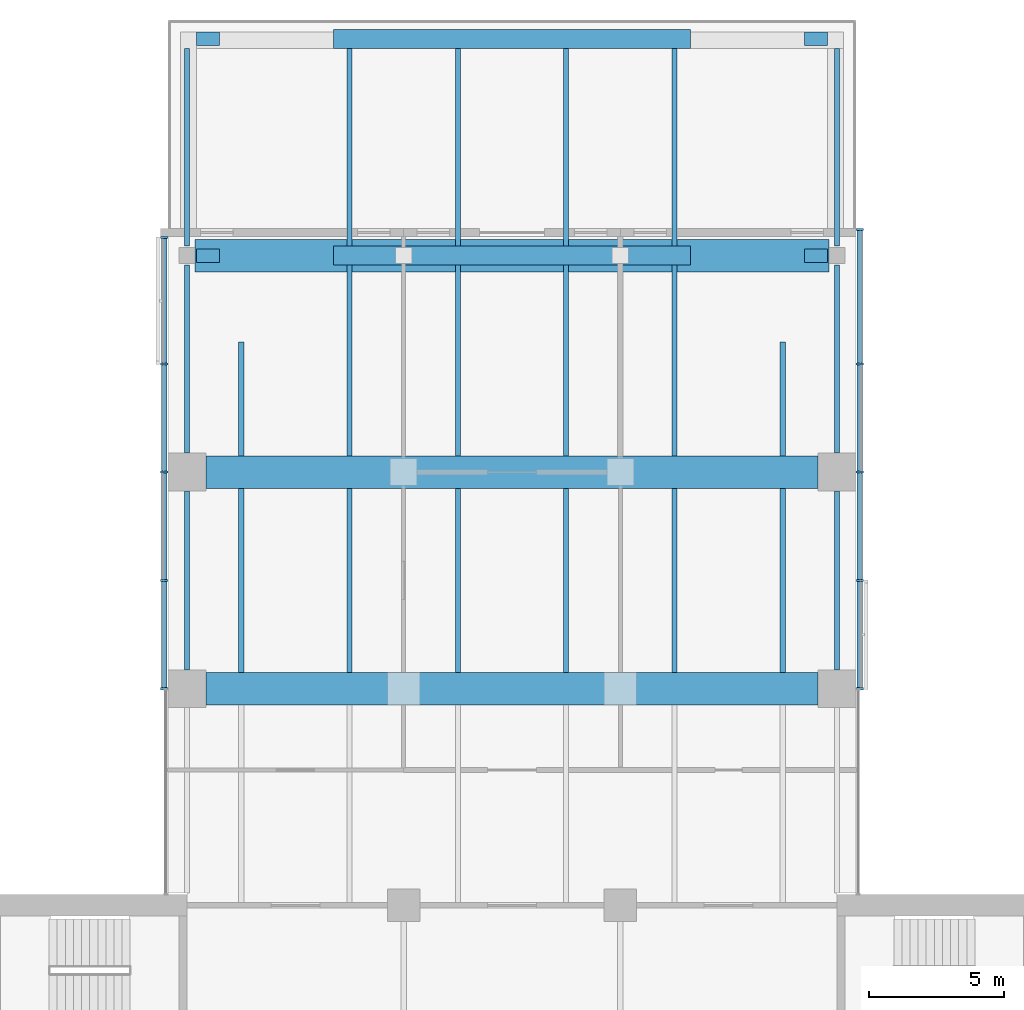
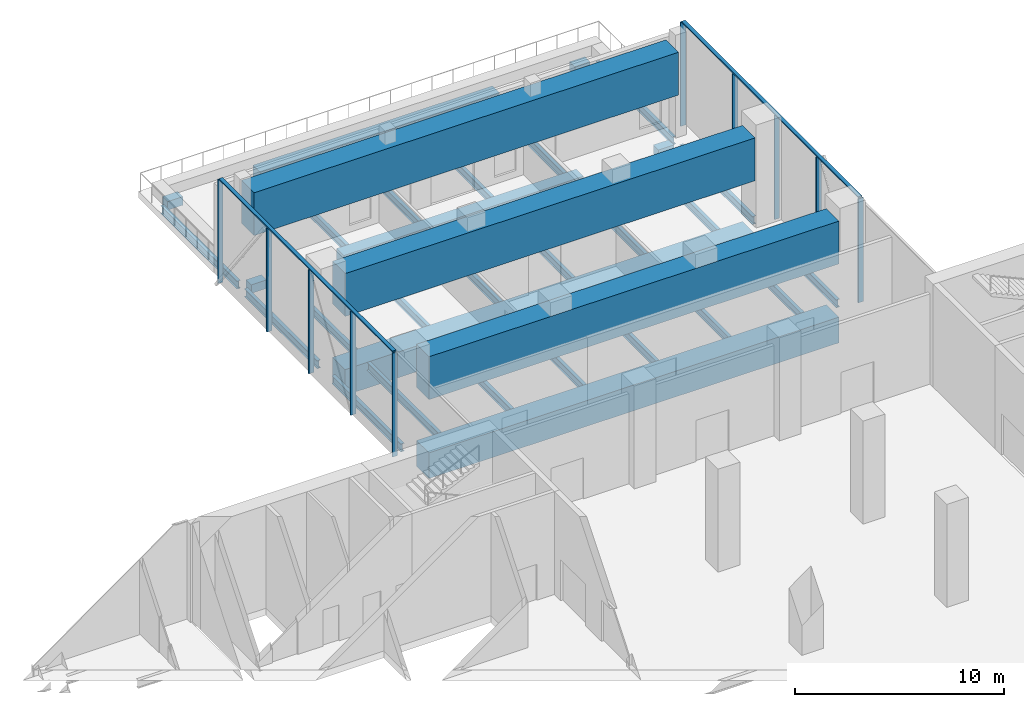
# One storey, part 11 of 23: 33 beams, 12 members, 2 elements without a shape of their own.
"""IFC4 building model written with IfcOpenShell, lengths in metres."""

import ifcopenshell
import ifcopenshell.guid

model = None  # the IFC model being written
_history = None  # IfcOwnerHistory: only IFC2X3 demands one
_inside = {}  # id of a spatial element -> (the spatial element, [elements in it])
_under = {}  # id of a project, library or spatial element -> (it, [spatial elements below it])
_declared = {}  # id of a project -> (the project, [libraries it declares])
_typed = {}  # id of a type object -> (the type object, [elements of that type])
_made_of = {}  # id of a material, layer set ... -> (it, [elements and type objects made of it])


def new_model(schema):
    """Start an empty IFC model of exactly this schema.

    Asked for "IFC4X3", IfcOpenShell would pick the latest addendum, in which some entities
    have other attributes; the version numbers below select the first issue.
    IFC2X3 requires an IfcOwnerHistory on every rooted entity: one is made here for all.
    """
    global model, _history
    if schema == "IFC4X3":
        model = ifcopenshell.file(schema_version=(4, 3, 0, 0))
    else:
        model = ifcopenshell.file(schema=schema)
    _inside.clear()
    _under.clear()
    _declared.clear()
    _typed.clear()
    _made_of.clear()
    _history = None
    if model.schema == "IFC2X3":
        org = make("IfcOrganization", Name="unknown")
        user = make(
            "IfcPersonAndOrganization",
            ThePerson=make("IfcPerson", FamilyName="unknown"),
            TheOrganization=org,
        )
        app = make(
            "IfcApplication",
            ApplicationDeveloper=org,
            Version="unknown",
            ApplicationFullName="unknown",
            ApplicationIdentifier="unknown",
        )
        _history = make(
            "IfcOwnerHistory",
            OwningUser=user,
            OwningApplication=app,
            ChangeAction="ADDED",
            CreationDate=0,
        )
    return model


def make(cls, **values):
    """One entity of the class cls with the attributes given. An attribute that is None is left unset."""
    return model.create_entity(
        cls, **{name: value for name, value in values.items() if value is not None}
    )


def rooted(cls, **values):
    """An entity with a GlobalId (a new one), such as an element, a storey or a relation."""
    return make(cls, GlobalId=ifcopenshell.guid.new(), OwnerHistory=_history, **values)


def si_unit(unit_type, name, prefix=None):
    """IfcSIUnit, for example si_unit("LENGTHUNIT", "METRE", prefix="MILLI")."""
    return make("IfcSIUnit", UnitType=unit_type, Prefix=prefix, Name=name)


def assignment(units):
    """IfcUnitAssignment: the units of a project."""
    return None if units is None else make("IfcUnitAssignment", Units=units)


def point(xyz):
    """IfcCartesianPoint."""
    return None if xyz is None else make("IfcCartesianPoint", Coordinates=xyz)


def direction(xyz):
    """IfcDirection."""
    return None if xyz is None else make("IfcDirection", DirectionRatios=xyz)


def frame(location, z_axis=None, x_axis=None):
    """IfcAxis2Placement3D, a coordinate frame: its origin and axes. An axis left out is left unset."""
    return make(
        "IfcAxis2Placement3D",
        Location=point(location),
        Axis=direction(z_axis),
        RefDirection=direction(x_axis),
    )


def frame_2d(location, x_axis=None):
    """IfcAxis2Placement2D, a coordinate frame in the plane: its origin and x axis."""
    return make(
        "IfcAxis2Placement2D", Location=point(location), RefDirection=direction(x_axis)
    )


def origin():
    """The frame at (0, 0, 0) with its axes left unset."""
    return frame((0.0, 0.0, 0.0))


def origin_2d():
    """The frame at (0, 0) in the plane with its x axis left unset."""
    return frame_2d((0.0, 0.0))


def place(relative_to, where):
    """IfcLocalPlacement: puts the frame where relative to a parent placement (None: the world)."""
    return make(
        "IfcLocalPlacement", PlacementRelTo=relative_to, RelativePlacement=where
    )


def context(
    kind, dimensions, precision=None, world=None, true_north=None, identifier=None
):
    """IfcGeometricRepresentationContext, for example the 3D "Model" context."""
    return make(
        "IfcGeometricRepresentationContext",
        ContextIdentifier=identifier,
        ContextType=kind,
        CoordinateSpaceDimension=dimensions,
        Precision=precision,
        WorldCoordinateSystem=world,
        TrueNorth=true_north,
    )


def subcontext(parent, identifier, kind, view, scale=None):
    """IfcGeometricRepresentationSubContext, for example "Body" below "Model"."""
    return make(
        "IfcGeometricRepresentationSubContext",
        ContextIdentifier=identifier,
        ContextType=kind,
        ParentContext=parent,
        TargetScale=scale,
        TargetView=view,
    )


def project(units=None, contexts=None):
    """IfcProject with its units and contexts."""
    return rooted(
        "IfcProject",
        Name="project",
        RepresentationContexts=contexts,
        UnitsInContext=assignment(units),
    )


def spatial(cls, under=None, at=None, **own):
    """A site, building, storey or space (cls), placed at a placement, below another one or the project."""
    s = rooted(cls, ObjectPlacement=at, **own)
    if under is not None:
        _under.setdefault(under.id(), (under, []))[1].append(s)
    return s


def profile(cls, at=None, kind="AREA", **sizes):
    """A parametric profile (cls). Its sizes go by their IFC names, for example OverallWidth=200.0."""
    return make(cls, ProfileType=kind, Position=at, **sizes)


def rectangle(**sizes):
    """IfcRectangleProfileDef."""
    return profile("IfcRectangleProfileDef", **sizes)


def i_section(**sizes):
    """IfcIShapeProfileDef."""
    return profile("IfcIShapeProfileDef", **sizes)


def extrude(swept, where, along, depth):
    """IfcExtrudedAreaSolid: the profile swept, set in the frame where, extruded along a direction by depth."""
    return make(
        "IfcExtrudedAreaSolid",
        SweptArea=swept,
        Position=where,
        ExtrudedDirection=direction(along),
        Depth=depth,
    )


def shape(context_of_items, identifier, shape_type, items):
    """IfcShapeRepresentation: the items that make up one representation, for example the "Body"."""
    return make(
        "IfcShapeRepresentation",
        ContextOfItems=context_of_items,
        RepresentationIdentifier=identifier,
        RepresentationType=shape_type,
        Items=items,
    )


def material(Name=None, Category=None):
    """IfcMaterial."""
    return make("IfcMaterial", Name=Name, Category=Category)


def material_profile(
    of_material, cross_section, Name=None, Category=None, Priority=None
):
    """IfcMaterialProfile: a cross section and its material."""
    return make(
        "IfcMaterialProfile",
        Name=Name,
        Material=of_material,
        Profile=cross_section,
        Priority=Priority,
        Category=Category,
    )


def profile_set(profiles, Name=None, composite=None):
    """IfcMaterialProfileSet."""
    return make(
        "IfcMaterialProfileSet",
        Name=Name,
        MaterialProfiles=profiles,
        CompositeProfile=composite,
    )


def made_of(thing, what):
    """Note that an element or type object is made of a material, layer set ...; save() writes the relation."""
    if what is not None:
        _made_of.setdefault(what.id(), (what, []))[1].append(thing)
    return thing


def type_object(cls, material=None, **own):
    """A type object (cls), such as IfcWallType, which elements share."""
    return made_of(rooted(cls, **own), material)


def element(
    cls,
    number,
    at=None,
    inside=None,
    cuts=None,
    type_object=None,
    material=None,
    context=None,
    identifier="Body",
    shape_type=None,
    held_by="IfcProductDefinitionShape",
    body=None,
    shapes=None,
    **own,
):
    """One element of the class cls, such as IfcWall. Its Tag is "e" and its number.

    at: its placement. inside: the storey or other place that contains it. cuts: it is an
    opening in that element (IfcRelVoidsElement). A single representation is given by context,
    identifier, shape_type and body (its items); several are given by shapes. held_by: the class
    of the entity that holds the representations. save() writes the other relations.
    """
    e = rooted(cls, Tag="e%d" % number, ObjectPlacement=at, **own)
    if body is not None:
        shapes = [shape(context, identifier, shape_type, body)]
    if shapes is not None:
        e.Representation = make(held_by, Representations=shapes)
    if inside is not None:
        _inside.setdefault(inside.id(), (inside, []))[1].append(e)
    if cuts is not None:
        rooted(
            "IfcRelVoidsElement", RelatingBuildingElement=cuts, RelatedOpeningElement=e
        )
    if type_object is not None:
        _typed.setdefault(type_object.id(), (type_object, []))[1].append(e)
    return made_of(e, material)


def aggregate(whole, parts):
    """IfcRelAggregates: a whole, such as a stair, and the parts it consists of."""
    return rooted("IfcRelAggregates", RelatingObject=whole, RelatedObjects=parts)


def save(model, path):
    """Write the relations noted so far, then the file.

    IfcRelAggregates (storeys below a building ...), IfcRelContainedInSpatialStructure (elements
    in a storey), IfcRelDefinesByType, IfcRelAssociatesMaterial and IfcRelDeclares: one each for
    every whole, place, type object, material and project.
    """
    for whole, parts in _under.values():
        aggregate(whole, parts)
    for where, things in _inside.values():
        rooted(
            "IfcRelContainedInSpatialStructure",
            RelatedElements=things,
            RelatingStructure=where,
        )
    for kind, things in _typed.values():
        rooted("IfcRelDefinesByType", RelatedObjects=things, RelatingType=kind)
    for what, things in _made_of.values():
        rooted("IfcRelAssociatesMaterial", RelatedObjects=things, RelatingMaterial=what)
    for by, libraries in _declared.values():
        rooted("IfcRelDeclares", RelatingContext=by, RelatedDefinitions=libraries)
    model.write(path)


model = new_model("IFC4")

# Units and contexts
model_context = context("Model", 3, precision=1e-05, world=origin(), true_north=direction((0.0, 1.0)))
body_context = subcontext(model_context, "Body", "Model", "MODEL_VIEW")
ifc_project = project(units=[si_unit("LENGTHUNIT", "METRE"), si_unit("AREAUNIT", "SQUARE_METRE"), si_unit("VOLUMEUNIT", "CUBIC_METRE"), si_unit("PLANEANGLEUNIT", "RADIAN"), si_unit("MASSUNIT", "GRAM", prefix="KILO")], contexts=[model_context])

# Site, building, storey
site_placement = place(None, origin())
site = spatial("IfcSite", under=ifc_project, at=site_placement, CompositionType="ELEMENT")
building_placement = place(site_placement, origin())
building = spatial("IfcBuilding", under=site, at=building_placement, Name="Crosswind Convention Tower", CompositionType="ELEMENT")
storey_placement = place(building_placement, frame((0.0, 0.0, 47.5)))
storey = spatial("IfcBuildingStorey", under=building, at=storey_placement, Name="L06", CompositionType="ELEMENT", Elevation=47.5)

# Beams
ifc_material_1 = material(Name="Steel S355", Category="steel")
ifc_material_profile_1 = material_profile(ifc_material_1, i_section(OverallWidth=0.19189453125, OverallDepth=0.463623046875, WebThickness=0.010498046875, FlangeThickness=0.017578125, FilletRadius=0.01025390625, at=origin_2d()), Name="UB 457x191x90")
ifc_profile_set_1 = profile_set([ifc_material_profile_1], Name="Steel S355")
beam_type_1 = type_object("IfcBeamType", Name="Edge beam UB 457x191x90", PredefinedType="SPANDREL", material=ifc_profile_set_1)
beam_1_placement = place(storey_placement, frame((113.0, 120.699951171875, -0.6318359375), z_axis=(0.0, 1.0, 0.0), x_axis=(-1.0, 0.0, 0.0)))
element("IfcBeam", 1, at=beam_1_placement, inside=storey, type_object=beam_type_1, Name="B19 L06 edge beam 10", PredefinedType="SPANDREL", context=body_context, shape_type="SweptSolid", body=[
    extrude(i_section(OverallWidth=0.19189453125, OverallDepth=0.463623046875, WebThickness=0.010498046875, FlangeThickness=0.017578125, FilletRadius=0.01025390625, at=origin_2d()), origin(), (0.0, 0.0, 1.0), 6.60009765625),
])
beam_2_placement = place(storey_placement, frame((113.0, 128.699951171875, -0.6318359375), z_axis=(0.0, 1.0, 0.0), x_axis=(-1.0, 0.0, 0.0)))
element("IfcBeam", 2, at=beam_2_placement, inside=storey, type_object=beam_type_1, Name="B19 L06 edge beam 11", PredefinedType="SPANDREL", context=body_context, shape_type="SweptSolid", body=[
    extrude(i_section(OverallWidth=0.19189453125, OverallDepth=0.463623046875, WebThickness=0.010498046875, FlangeThickness=0.017578125, FilletRadius=0.01025390625, at=origin_2d()), origin(), (0.0, 0.0, 1.0), 6.949951171875),
])
beam_3_placement = place(storey_placement, frame((113.0, 136.35009765625, -0.6318359375), z_axis=(0.0, 1.0, 0.0), x_axis=(-1.0, 0.0, 0.0)))
element("IfcBeam", 3, at=beam_3_placement, inside=storey, type_object=beam_type_1, Name="B19 L06 edge beam 12", PredefinedType="SPANDREL", context=body_context, shape_type="SweptSolid", body=[
    extrude(i_section(OverallWidth=0.19189453125, OverallDepth=0.463623046875, WebThickness=0.010498046875, FlangeThickness=0.017578125, FilletRadius=0.01025390625, at=origin_2d()), origin(), (0.0, 0.0, 1.0), 7.2998046875),
])
beam_4_placement = place(storey_placement, frame((137.0, 120.699951171875, -0.6318359375), z_axis=(0.0, 1.0, 0.0), x_axis=(-1.0, 0.0, 0.0)))
element("IfcBeam", 4, at=beam_4_placement, inside=storey, type_object=beam_type_1, Name="B19 L06 edge beam 18", PredefinedType="SPANDREL", context=body_context, shape_type="SweptSolid", body=[
    extrude(i_section(OverallWidth=0.19189453125, OverallDepth=0.463623046875, WebThickness=0.010498046875, FlangeThickness=0.017578125, FilletRadius=0.01025390625, at=origin_2d()), origin(), (0.0, 0.0, 1.0), 6.60009765625),
])
beam_5_placement = place(storey_placement, frame((137.0, 128.699951171875, -0.6318359375), z_axis=(0.0, 1.0, 0.0), x_axis=(-1.0, 0.0, 0.0)))
element("IfcBeam", 5, at=beam_5_placement, inside=storey, type_object=beam_type_1, Name="B19 L06 edge beam 19", PredefinedType="SPANDREL", context=body_context, shape_type="SweptSolid", body=[
    extrude(i_section(OverallWidth=0.19189453125, OverallDepth=0.463623046875, WebThickness=0.010498046875, FlangeThickness=0.017578125, FilletRadius=0.01025390625, at=origin_2d()), origin(), (0.0, 0.0, 1.0), 6.949951171875),
])
beam_6_placement = place(storey_placement, frame((137.0, 136.35009765625, -0.6318359375), z_axis=(0.0, 1.0, 0.0), x_axis=(-1.0, 0.0, 0.0)))
element("IfcBeam", 6, at=beam_6_placement, inside=storey, type_object=beam_type_1, Name="B19 L06 edge beam 20", PredefinedType="SPANDREL", context=body_context, shape_type="SweptSolid", body=[
    extrude(i_section(OverallWidth=0.19189453125, OverallDepth=0.463623046875, WebThickness=0.010498046875, FlangeThickness=0.017578125, FilletRadius=0.01025390625, at=origin_2d()), origin(), (0.0, 0.0, 1.0), 7.2998046875),
])

# Curtain wall, members
ifc_material_2 = material(Name="Aluminium unitised curtain wall", Category="aluminium")
curtain_wall_type = type_object("IfcCurtainWallType", Name="SKY LOBBY AND LOUNGE WALL 280", PredefinedType="USERDEFINED", material=ifc_material_2)
curtain_wall_1_placement = place(storey_placement, origin())
curtain_wall_1 = element("IfcCurtainWall", 7, at=curtain_wall_1_placement, inside=storey, type_object=curtain_wall_type, Name="CW4 L06 N-E 1", ObjectType="UNITISED", PredefinedType="USERDEFINED")
ifc_material_3 = material(Name="Aluminium mullion", Category="aluminium")
ifc_material_profile_2 = material_profile(ifc_material_3, rectangle(XDim=0.280029296875, YDim=0.074951171875, at=origin_2d()), Name="AL 280X75")
ifc_profile_set_2 = profile_set([ifc_material_profile_2], Name="Aluminium mullion")
member_type_1 = type_object("IfcMemberType", Name="MULLION 75X280", PredefinedType="MULLION", material=ifc_profile_set_2)
member_1_placement = place(storey_placement, frame((137.840087890625, 120.0, -0.39990234375), z_axis=(0.0, 0.0, 1.0), x_axis=(1.0, 0.0, 0.0)))
member_1 = element("IfcMember", 8, at=member_1_placement, type_object=member_type_1, Name="CW4 mullion 1", PredefinedType="MULLION", context=body_context, shape_type="SweptSolid", body=[
    extrude(rectangle(XDim=0.280029296875, YDim=0.074951171875, at=origin_2d()), origin(), (0.0, 0.0, 1.0), 6.044921875),
])
member_2_placement = place(storey_placement, frame((137.840087890625, 124.0, -0.39990234375), z_axis=(0.0, 0.0, 1.0), x_axis=(1.0, 0.0, 0.0)))
member_2 = element("IfcMember", 9, at=member_2_placement, type_object=member_type_1, Name="CW4 mullion 2", PredefinedType="MULLION", context=body_context, shape_type="SweptSolid", body=[
    extrude(rectangle(XDim=0.280029296875, YDim=0.074951171875, at=origin_2d()), origin(), (0.0, 0.0, 1.0), 6.044921875),
])
member_3_placement = place(storey_placement, frame((137.840087890625, 128.0, -0.39990234375), z_axis=(0.0, 0.0, 1.0), x_axis=(1.0, 0.0, 0.0)))
member_3 = element("IfcMember", 10, at=member_3_placement, type_object=member_type_1, Name="CW4 mullion 3", PredefinedType="MULLION", context=body_context, shape_type="SweptSolid", body=[
    extrude(rectangle(XDim=0.280029296875, YDim=0.074951171875, at=origin_2d()), origin(), (0.0, 0.0, 1.0), 6.044921875),
])
member_4_placement = place(storey_placement, frame((137.840087890625, 132.0, -0.39990234375), z_axis=(0.0, 0.0, 1.0), x_axis=(1.0, 0.0, 0.0)))
member_4 = element("IfcMember", 11, at=member_4_placement, type_object=member_type_1, Name="CW4 mullion 4", PredefinedType="MULLION", context=body_context, shape_type="SweptSolid", body=[
    extrude(rectangle(XDim=0.280029296875, YDim=0.074951171875, at=origin_2d()), origin(), (0.0, 0.0, 1.0), 6.044921875),
])
member_5_placement = place(storey_placement, frame((137.840087890625, 136.96240234375, -0.39990234375), z_axis=(0.0, 0.0, 1.0), x_axis=(1.0, 0.0, 0.0)))
member_5 = element("IfcMember", 12, at=member_5_placement, type_object=member_type_1, Name="CW4 mullion 5", PredefinedType="MULLION", context=body_context, shape_type="SweptSolid", body=[
    extrude(rectangle(XDim=0.280029296875, YDim=0.074951171875, at=origin_2d()), origin(), (0.0, 0.0, 1.0), 6.044921875),
])

curtain_wall_2_placement = place(storey_placement, origin())
curtain_wall_2 = element("IfcCurtainWall", 13, at=curtain_wall_2_placement, inside=storey, type_object=curtain_wall_type, Name="CW4 L06 N-W 1", ObjectType="UNITISED", PredefinedType="USERDEFINED")
member_6_placement = place(storey_placement, frame((112.159912109375, 136.66259765625, -0.39990234375), z_axis=(0.0, 0.0, 1.0), x_axis=(-1.0, 0.0, 0.0)))
member_6 = element("IfcMember", 14, at=member_6_placement, type_object=member_type_1, Name="CW4 mullion 1", PredefinedType="MULLION", context=body_context, shape_type="SweptSolid", body=[
    extrude(rectangle(XDim=0.280029296875, YDim=0.074951171875, at=origin_2d()), origin(), (0.0, 0.0, 1.0), 6.044921875),
])
member_7_placement = place(storey_placement, frame((112.159912109375, 132.0, -0.39990234375), z_axis=(0.0, 0.0, 1.0), x_axis=(-1.0, 0.0, 0.0)))
member_7 = element("IfcMember", 15, at=member_7_placement, type_object=member_type_1, Name="CW4 mullion 2", PredefinedType="MULLION", context=body_context, shape_type="SweptSolid", body=[
    extrude(rectangle(XDim=0.280029296875, YDim=0.074951171875, at=origin_2d()), origin(), (0.0, 0.0, 1.0), 6.044921875),
])
member_8_placement = place(storey_placement, frame((112.159912109375, 128.0, -0.39990234375), z_axis=(0.0, 0.0, 1.0), x_axis=(-1.0, 0.0, 0.0)))
member_8 = element("IfcMember", 16, at=member_8_placement, type_object=member_type_1, Name="CW4 mullion 3", PredefinedType="MULLION", context=body_context, shape_type="SweptSolid", body=[
    extrude(rectangle(XDim=0.280029296875, YDim=0.074951171875, at=origin_2d()), origin(), (0.0, 0.0, 1.0), 6.044921875),
])
member_9_placement = place(storey_placement, frame((112.159912109375, 124.0, -0.39990234375), z_axis=(0.0, 0.0, 1.0), x_axis=(-1.0, 0.0, 0.0)))
member_9 = element("IfcMember", 17, at=member_9_placement, type_object=member_type_1, Name="CW4 mullion 4", PredefinedType="MULLION", context=body_context, shape_type="SweptSolid", body=[
    extrude(rectangle(XDim=0.280029296875, YDim=0.074951171875, at=origin_2d()), origin(), (0.0, 0.0, 1.0), 6.044921875),
])
member_10_placement = place(storey_placement, frame((112.159912109375, 120.0, -0.39990234375), z_axis=(0.0, 0.0, 1.0), x_axis=(-1.0, 0.0, 0.0)))
member_10 = element("IfcMember", 18, at=member_10_placement, type_object=member_type_1, Name="CW4 mullion 5", PredefinedType="MULLION", context=body_context, shape_type="SweptSolid", body=[
    extrude(rectangle(XDim=0.280029296875, YDim=0.074951171875, at=origin_2d()), origin(), (0.0, 0.0, 1.0), 6.044921875),
])

# Beams
ifc_material_4 = material(Name="Concrete C70/85", Category="concrete")
ifc_material_profile_3 = material_profile(ifc_material_4, rectangle(XDim=1.199951171875, YDim=1.5, at=origin_2d()), Name="RC 1200X1500")
ifc_profile_set_3 = profile_set([ifc_material_profile_3], Name="Concrete C70/85")
beam_type_2 = type_object("IfcBeamType", Name="Prestressed concrete girder RC 1200X1500", PredefinedType="BEAM", material=ifc_profile_set_3)
for number, where, z_axis, x_axis, name in (
    (19, (113.699951171875, 120.0, -1.14990234375), (1.0, 0.0, 0.0), (0.0, 1.0, 0.0), "B39 L06 prestressed concrete girder 3"),
    (20, (113.699951171875, 128.0, -1.14990234375), (1.0, 0.0, 0.0), (0.0, 1.0, 0.0), "B39 L06 prestressed concrete girder 4"),
):
    element("IfcBeam", number, at=place(storey_placement, frame(where, z_axis=z_axis, x_axis=x_axis)), inside=storey, type_object=beam_type_2, Name=name, PredefinedType="BEAM", context=body_context, shape_type="SweptSolid", body=[
        extrude(rectangle(XDim=1.199951171875, YDim=1.5, at=origin_2d()), origin(), (0.0, 0.0, 1.0), 22.60009765625),
    ])
ifc_material_5 = material(Name="Concrete C60/75", Category="concrete")
ifc_material_profile_4 = material_profile(ifc_material_5, rectangle(XDim=0.699951171875, YDim=0.89990234375, at=origin_2d()), Name="RC 700X900")
ifc_profile_set_4 = profile_set([ifc_material_profile_4], Name="Concrete C60/75")
beam_type_3 = type_object("IfcBeamType", Name="Prestressed concrete girder between stair walls RC 700X900", PredefinedType="BEAM", material=ifc_profile_set_4)
for number, where, z_axis, x_axis, name in (
    (21, (118.39990234375, 136.0, -0.85009765625), (1.0, 0.0, 0.0), (0.0, 1.0, 0.0), "B41 L06 prestressed concrete girder between stair walls 5"),
    (22, (118.39990234375, 144.0, -0.85009765625), (1.0, 0.0, 0.0), (0.0, 1.0, 0.0), "B41 L06 prestressed concrete girder between stair walls 6"),
):
    element("IfcBeam", number, at=place(storey_placement, frame(where, z_axis=z_axis, x_axis=x_axis)), inside=storey, type_object=beam_type_3, Name=name, PredefinedType="BEAM", context=body_context, shape_type="SweptSolid", body=[
        extrude(rectangle(XDim=0.699951171875, YDim=0.89990234375, at=origin_2d()), origin(), (0.0, 0.0, 1.0), 13.2001953125),
    ])
ifc_material_profile_5 = material_profile(ifc_material_1, i_section(OverallWidth=0.1904296875, OverallDepth=0.457275390625, WebThickness=0.009033203125, FlangeThickness=0.014404296875, FilletRadius=0.01025390625, at=origin_2d()), Name="UB 457x191x75")
ifc_profile_set_5 = profile_set([ifc_material_profile_5], Name="Steel S355")
beam_type_4 = type_object("IfcBeamType", Name="Secondary beam UB 457x191x75", PredefinedType="JOIST", material=ifc_profile_set_5)
beam_7_placement = place(storey_placement, frame((115.0, 120.60009765625, -0.628662109375), z_axis=(0.0, 1.0, 0.0), x_axis=(-1.0, 0.0, 0.0)))
element("IfcBeam", 23, at=beam_7_placement, inside=storey, type_object=beam_type_4, Name="B12 L06 secondary beam 18", PredefinedType="JOIST", context=body_context, shape_type="SweptSolid", body=[
    extrude(i_section(OverallWidth=0.1904296875, OverallDepth=0.457275390625, WebThickness=0.009033203125, FlangeThickness=0.014404296875, FilletRadius=0.01025390625, at=origin_2d()), origin(), (0.0, 0.0, 1.0), 6.7998046875),
])
beam_8_placement = place(storey_placement, frame((115.0, 128.60009765625, -0.628662109375), z_axis=(0.0, 1.0, 0.0), x_axis=(-1.0, 0.0, 0.0)))
element("IfcBeam", 24, at=beam_8_placement, inside=storey, type_object=beam_type_4, Name="B12 L06 secondary beam 19", PredefinedType="JOIST", context=body_context, shape_type="SweptSolid", body=[
    extrude(i_section(OverallWidth=0.1904296875, OverallDepth=0.457275390625, WebThickness=0.009033203125, FlangeThickness=0.014404296875, FilletRadius=0.01025390625, at=origin_2d()), origin(), (0.0, 0.0, 1.0), 4.199951171875),
])
beam_9_placement = place(storey_placement, frame((119.0, 120.60009765625, -0.628662109375), z_axis=(0.0, 1.0, 0.0), x_axis=(-1.0, 0.0, 0.0)))
element("IfcBeam", 25, at=beam_9_placement, inside=storey, type_object=beam_type_4, Name="B12 L06 secondary beam 25", PredefinedType="JOIST", context=body_context, shape_type="SweptSolid", body=[
    extrude(i_section(OverallWidth=0.1904296875, OverallDepth=0.457275390625, WebThickness=0.009033203125, FlangeThickness=0.014404296875, FilletRadius=0.01025390625, at=origin_2d()), origin(), (0.0, 0.0, 1.0), 6.7998046875),
])
beam_10_placement = place(storey_placement, frame((119.0, 128.60009765625, -0.628662109375), z_axis=(0.0, 1.0, 0.0), x_axis=(-1.0, 0.0, 0.0)))
element("IfcBeam", 26, at=beam_10_placement, inside=storey, type_object=beam_type_4, Name="B12 L06 secondary beam 26", PredefinedType="JOIST", context=body_context, shape_type="SweptSolid", body=[
    extrude(i_section(OverallWidth=0.1904296875, OverallDepth=0.457275390625, WebThickness=0.009033203125, FlangeThickness=0.014404296875, FilletRadius=0.01025390625, at=origin_2d()), origin(), (0.0, 0.0, 1.0), 7.0498046875),
])
beam_11_placement = place(storey_placement, frame((119.0, 136.35009765625, -0.628662109375), z_axis=(0.0, 1.0, 0.0), x_axis=(-1.0, 0.0, 0.0)))
element("IfcBeam", 27, at=beam_11_placement, inside=storey, type_object=beam_type_4, Name="B12 L06 secondary beam 27", PredefinedType="JOIST", context=body_context, shape_type="SweptSolid", body=[
    extrude(i_section(OverallWidth=0.1904296875, OverallDepth=0.457275390625, WebThickness=0.009033203125, FlangeThickness=0.014404296875, FilletRadius=0.01025390625, at=origin_2d()), origin(), (0.0, 0.0, 1.0), 7.2998046875),
])
beam_12_placement = place(storey_placement, frame((123.0, 120.60009765625, -0.628662109375), z_axis=(0.0, 1.0, 0.0), x_axis=(-1.0, 0.0, 0.0)))
element("IfcBeam", 28, at=beam_12_placement, inside=storey, type_object=beam_type_4, Name="B12 L06 secondary beam 36", PredefinedType="JOIST", context=body_context, shape_type="SweptSolid", body=[
    extrude(i_section(OverallWidth=0.1904296875, OverallDepth=0.457275390625, WebThickness=0.009033203125, FlangeThickness=0.014404296875, FilletRadius=0.01025390625, at=origin_2d()), origin(), (0.0, 0.0, 1.0), 6.7998046875),
])
beam_13_placement = place(storey_placement, frame((123.0, 128.60009765625, -0.628662109375), z_axis=(0.0, 1.0, 0.0), x_axis=(-1.0, 0.0, 0.0)))
element("IfcBeam", 29, at=beam_13_placement, inside=storey, type_object=beam_type_4, Name="B12 L06 secondary beam 37", PredefinedType="JOIST", context=body_context, shape_type="SweptSolid", body=[
    extrude(i_section(OverallWidth=0.1904296875, OverallDepth=0.457275390625, WebThickness=0.009033203125, FlangeThickness=0.014404296875, FilletRadius=0.01025390625, at=origin_2d()), origin(), (0.0, 0.0, 1.0), 7.0498046875),
])
beam_14_placement = place(storey_placement, frame((123.0, 136.35009765625, -0.628662109375), z_axis=(0.0, 1.0, 0.0), x_axis=(-1.0, 0.0, 0.0)))
element("IfcBeam", 30, at=beam_14_placement, inside=storey, type_object=beam_type_4, Name="B12 L06 secondary beam 38", PredefinedType="JOIST", context=body_context, shape_type="SweptSolid", body=[
    extrude(i_section(OverallWidth=0.1904296875, OverallDepth=0.457275390625, WebThickness=0.009033203125, FlangeThickness=0.014404296875, FilletRadius=0.01025390625, at=origin_2d()), origin(), (0.0, 0.0, 1.0), 7.2998046875),
])
beam_15_placement = place(storey_placement, frame((127.0, 120.60009765625, -0.628662109375), z_axis=(0.0, 1.0, 0.0), x_axis=(-1.0, 0.0, 0.0)))
element("IfcBeam", 31, at=beam_15_placement, inside=storey, type_object=beam_type_4, Name="B12 L06 secondary beam 44", PredefinedType="JOIST", context=body_context, shape_type="SweptSolid", body=[
    extrude(i_section(OverallWidth=0.1904296875, OverallDepth=0.457275390625, WebThickness=0.009033203125, FlangeThickness=0.014404296875, FilletRadius=0.01025390625, at=origin_2d()), origin(), (0.0, 0.0, 1.0), 6.7998046875),
])
beam_16_placement = place(storey_placement, frame((127.0, 128.60009765625, -0.628662109375), z_axis=(0.0, 1.0, 0.0), x_axis=(-1.0, 0.0, 0.0)))
element("IfcBeam", 32, at=beam_16_placement, inside=storey, type_object=beam_type_4, Name="B12 L06 secondary beam 45", PredefinedType="JOIST", context=body_context, shape_type="SweptSolid", body=[
    extrude(i_section(OverallWidth=0.1904296875, OverallDepth=0.457275390625, WebThickness=0.009033203125, FlangeThickness=0.014404296875, FilletRadius=0.01025390625, at=origin_2d()), origin(), (0.0, 0.0, 1.0), 7.0498046875),
])
beam_17_placement = place(storey_placement, frame((127.0, 136.35009765625, -0.628662109375), z_axis=(0.0, 1.0, 0.0), x_axis=(-1.0, 0.0, 0.0)))
element("IfcBeam", 33, at=beam_17_placement, inside=storey, type_object=beam_type_4, Name="B12 L06 secondary beam 46", PredefinedType="JOIST", context=body_context, shape_type="SweptSolid", body=[
    extrude(i_section(OverallWidth=0.1904296875, OverallDepth=0.457275390625, WebThickness=0.009033203125, FlangeThickness=0.014404296875, FilletRadius=0.01025390625, at=origin_2d()), origin(), (0.0, 0.0, 1.0), 7.2998046875),
])
beam_18_placement = place(storey_placement, frame((131.0, 120.60009765625, -0.628662109375), z_axis=(0.0, 1.0, 0.0), x_axis=(-1.0, 0.0, 0.0)))
element("IfcBeam", 34, at=beam_18_placement, inside=storey, type_object=beam_type_4, Name="B12 L06 secondary beam 55", PredefinedType="JOIST", context=body_context, shape_type="SweptSolid", body=[
    extrude(i_section(OverallWidth=0.1904296875, OverallDepth=0.457275390625, WebThickness=0.009033203125, FlangeThickness=0.014404296875, FilletRadius=0.01025390625, at=origin_2d()), origin(), (0.0, 0.0, 1.0), 6.7998046875),
])
beam_19_placement = place(storey_placement, frame((131.0, 128.60009765625, -0.628662109375), z_axis=(0.0, 1.0, 0.0), x_axis=(-1.0, 0.0, 0.0)))
element("IfcBeam", 35, at=beam_19_placement, inside=storey, type_object=beam_type_4, Name="B12 L06 secondary beam 56", PredefinedType="JOIST", context=body_context, shape_type="SweptSolid", body=[
    extrude(i_section(OverallWidth=0.1904296875, OverallDepth=0.457275390625, WebThickness=0.009033203125, FlangeThickness=0.014404296875, FilletRadius=0.01025390625, at=origin_2d()), origin(), (0.0, 0.0, 1.0), 7.0498046875),
])
beam_20_placement = place(storey_placement, frame((131.0, 136.35009765625, -0.628662109375), z_axis=(0.0, 1.0, 0.0), x_axis=(-1.0, 0.0, 0.0)))
element("IfcBeam", 36, at=beam_20_placement, inside=storey, type_object=beam_type_4, Name="B12 L06 secondary beam 57", PredefinedType="JOIST", context=body_context, shape_type="SweptSolid", body=[
    extrude(i_section(OverallWidth=0.1904296875, OverallDepth=0.457275390625, WebThickness=0.009033203125, FlangeThickness=0.014404296875, FilletRadius=0.01025390625, at=origin_2d()), origin(), (0.0, 0.0, 1.0), 7.2998046875),
])
beam_21_placement = place(storey_placement, frame((135.0, 120.60009765625, -0.628662109375), z_axis=(0.0, 1.0, 0.0), x_axis=(-1.0, 0.0, 0.0)))
element("IfcBeam", 37, at=beam_21_placement, inside=storey, type_object=beam_type_4, Name="B12 L06 secondary beam 62", PredefinedType="JOIST", context=body_context, shape_type="SweptSolid", body=[
    extrude(i_section(OverallWidth=0.1904296875, OverallDepth=0.457275390625, WebThickness=0.009033203125, FlangeThickness=0.014404296875, FilletRadius=0.01025390625, at=origin_2d()), origin(), (0.0, 0.0, 1.0), 6.7998046875),
])
beam_22_placement = place(storey_placement, frame((135.0, 128.60009765625, -0.628662109375), z_axis=(0.0, 1.0, 0.0), x_axis=(-1.0, 0.0, 0.0)))
element("IfcBeam", 38, at=beam_22_placement, inside=storey, type_object=beam_type_4, Name="B12 L06 secondary beam 63", PredefinedType="JOIST", context=body_context, shape_type="SweptSolid", body=[
    extrude(i_section(OverallWidth=0.1904296875, OverallDepth=0.457275390625, WebThickness=0.009033203125, FlangeThickness=0.014404296875, FilletRadius=0.01025390625, at=origin_2d()), origin(), (0.0, 0.0, 1.0), 4.199951171875),
])
ifc_material_profile_6 = material_profile(ifc_material_5, rectangle(XDim=0.5, YDim=0.5, at=origin_2d()), Name="RC 500X500")
ifc_profile_set_6 = profile_set([ifc_material_profile_6], Name="Concrete C60/75")
beam_type_5 = type_object("IfcBeamType", Name="Slab edge tie beam RC 500X500", PredefinedType="BEAM", material=ifc_profile_set_6)
for number, where, z_axis, x_axis, name in (
    (39, (113.35009765625, 136.0, -0.64990234375), (1.0, 0.0, 0.0), (0.0, 1.0, 0.0), "B42 L06 slab edge tie beam 7"),
    (40, (113.35009765625, 144.0, -0.64990234375), (1.0, 0.0, 0.0), (0.0, 1.0, 0.0), "B42 L06 slab edge tie beam 8"),
    (41, (135.800048828125, 136.0, -0.64990234375), (1.0, 0.0, 0.0), (0.0, 1.0, 0.0), "B42 L06 slab edge tie beam 11"),
    (42, (135.800048828125, 144.0, -0.64990234375), (1.0, 0.0, 0.0), (0.0, 1.0, 0.0), "B42 L06 slab edge tie beam 12"),
):
    element("IfcBeam", number, at=place(storey_placement, frame(where, z_axis=z_axis, x_axis=x_axis)), inside=storey, type_object=beam_type_5, Name=name, PredefinedType="BEAM", context=body_context, shape_type="SweptSolid", body=[
        extrude(rectangle(XDim=0.5, YDim=0.5, at=origin_2d()), origin(), (0.0, 0.0, 1.0), 0.849853515625),
    ])

# Member
ifc_material_6 = material(Name="Aluminium transom", Category="aluminium")
ifc_material_profile_7 = material_profile(ifc_material_6, rectangle(XDim=0.199951171875, YDim=0.074951171875, at=origin_2d()), Name="AL 200X75")
ifc_profile_set_7 = profile_set([ifc_material_profile_7], Name="Aluminium transom")
member_type_2 = type_object("IfcMemberType", Name="TRANSOM 75X200", PredefinedType="USERDEFINED", material=ifc_profile_set_7)
member_11_placement = place(storey_placement, frame((137.840087890625, 120.03759765625, 5.6826171875), z_axis=(0.0, 1.0, 0.0), x_axis=(-1.0, 0.0, 0.0)))
member_11 = element("IfcMember", 43, at=member_11_placement, type_object=member_type_2, Name="CW4 transom", ObjectType="TRANSOM", PredefinedType="USERDEFINED", context=body_context, shape_type="SweptSolid", body=[
    extrude(rectangle(XDim=0.199951171875, YDim=0.074951171875, at=origin_2d()), origin(), (0.0, 0.0, 1.0), 16.887451171875),
])

aggregate(curtain_wall_1, [member_1, member_2, member_3, member_4, member_5, member_11])

member_12_placement = place(storey_placement, frame((112.159912109375, 136.625, 5.6826171875), z_axis=(0.0, -1.0, 0.0), x_axis=(1.0, 0.0, 0.0)))
member_12 = element("IfcMember", 44, at=member_12_placement, type_object=member_type_2, Name="CW4 transom", ObjectType="TRANSOM", PredefinedType="USERDEFINED", context=body_context, shape_type="SweptSolid", body=[
    extrude(rectangle(XDim=0.199951171875, YDim=0.074951171875, at=origin_2d()), origin(), (0.0, 0.0, 1.0), 16.58740234375),
])

aggregate(curtain_wall_2, [member_6, member_7, member_8, member_9, member_10, member_12])

# Beams
ifc_material_profile_8 = material_profile(ifc_material_4, rectangle(XDim=1.199951171875, YDim=2.5, at=origin_2d()), Name="RC 1200X2500")
ifc_profile_set_8 = profile_set([ifc_material_profile_8], Name="Concrete C70/85")
beam_type_6 = type_object("IfcBeamType", Name="Transfer girder RC 1200X2500", PredefinedType="BEAM", material=ifc_profile_set_8)
for number, where, z_axis, x_axis, name in (
    (45, (113.699951171875, 120.0, 3.949951171875), (1.0, 0.0, 0.0), (0.0, 1.0, 0.0), "B40 L06 transfer girder N20"),
    (46, (113.699951171875, 128.0, 3.949951171875), (1.0, 0.0, 0.0), (0.0, 1.0, 0.0), "B40 L06 transfer girder N28"),
):
    element("IfcBeam", number, at=place(storey_placement, frame(where, z_axis=z_axis, x_axis=x_axis)), inside=storey, type_object=beam_type_6, Name=name, PredefinedType="BEAM", context=body_context, shape_type="SweptSolid", body=[
        extrude(rectangle(XDim=1.199951171875, YDim=2.5, at=origin_2d()), origin(), (0.0, 0.0, 1.0), 22.60009765625),
    ])
beam_23_placement = place(storey_placement, frame((113.300048828125, 136.0, 3.949951171875), z_axis=(1.0, 0.0, 0.0), x_axis=(0.0, 1.0, 0.0)))
element("IfcBeam", 47, at=beam_23_placement, inside=storey, type_object=beam_type_6, Name="B40 L06 transfer girder N36", PredefinedType="BEAM", context=body_context, shape_type="SweptSolid", body=[
    extrude(rectangle(XDim=1.199951171875, YDim=2.5, at=origin_2d()), origin(), (0.0, 0.0, 1.0), 23.39990234375),
])

save(model, "model.ifc")
